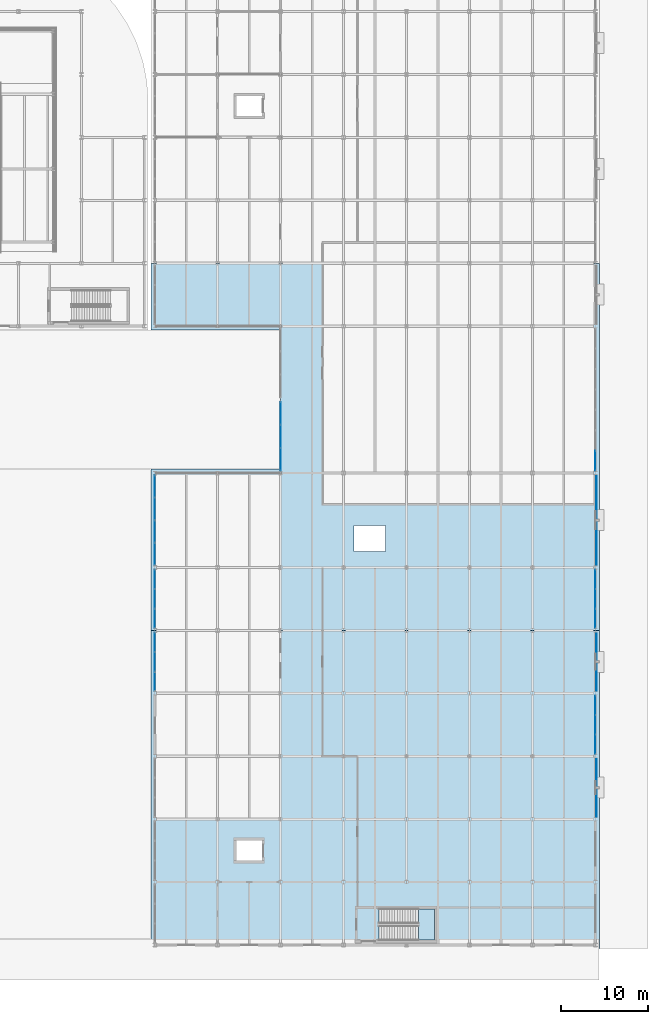
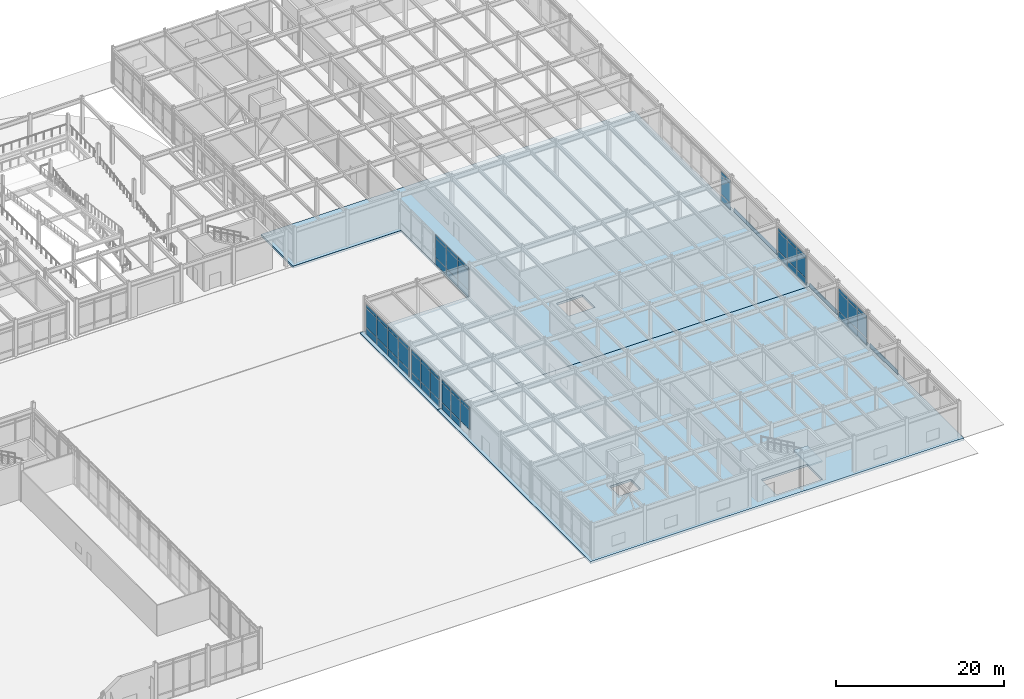
# One storey, part 64 of 104: 62 plates, 3 slabs, 8 elements without a shape of their own.
"""IFC4 building model written with IfcOpenShell, lengths in metres."""

from ifc_helpers import new_model, si_unit, direction, frame, origin, origin_2d, place, context, subcontext, project, spatial, polyline, rectangle, outline, extrude, material, layer, layer_set, type_object, element, aggregate, save


model = new_model("IFC4")

# Units and contexts
model_context = context("Model", 3, precision=1e-05, world=origin(), true_north=direction((0.0, 1.0)))
body_context = subcontext(model_context, "Body", "Model", "MODEL_VIEW")
ifc_project = project(units=[si_unit("LENGTHUNIT", "METRE"), si_unit("AREAUNIT", "SQUARE_METRE"), si_unit("VOLUMEUNIT", "CUBIC_METRE"), si_unit("PLANEANGLEUNIT", "RADIAN"), si_unit("MASSUNIT", "GRAM", prefix="KILO")], contexts=[model_context])

# Site, building, storey
site_placement = place(None, origin())
site = spatial("IfcSite", under=ifc_project, at=site_placement, CompositionType="ELEMENT")
building_placement = place(site_placement, origin())
building = spatial("IfcBuilding", under=site, at=building_placement, Name="Vaelcorin Mobility Hub", CompositionType="ELEMENT")
storey_placement = place(building_placement, origin())
storey = spatial("IfcBuildingStorey", under=building, at=storey_placement, Name="L00", CompositionType="ELEMENT", Elevation=0.0)

# Curtain wall, plates
ifc_material_1 = material(Name="Anodised aluminium 6063-T6", Category="aluminium")
curtain_wall_type = type_object("IfcCurtainWallType", Name="CW-MOB-A", PredefinedType="NOTDEFINED", material=ifc_material_1)
curtain_wall_1_placement = place(storey_placement, origin())
curtain_wall_1 = element("IfcCurtainWall", 1, at=curtain_wall_1_placement, inside=storey, type_object=curtain_wall_type, Name="L00 Curtain Wall CW-V5-L00-E-04", PredefinedType="NOTDEFINED")
ifc_material_2 = material(Name="Low-E solar-control insulated glazing", Category="glass")
ifc_layer_1 = layer(ifc_material_2, 0.031982421875)
ifc_layer_set_1 = layer_set([ifc_layer_1], Name="Low-E solar-control insulated glazing")
plate_type_1 = type_object("IfcPlateType", Name="CW-PAN-GLZ32", PredefinedType="CURTAIN_PANEL", material=ifc_layer_set_1)
plate_1_placement = place(storey_placement, frame((204.0, 33.438232421875, 0.06005859375), z_axis=(0.0, 0.0, 1.0), x_axis=(0.0, -1.0, 0.0)))
plate_1 = element("IfcPlate", 2, at=plate_1_placement, type_object=plate_type_1, Name="CW7 panel 1.1", PredefinedType="CURTAIN_PANEL", context=body_context, shape_type="SweptSolid", body=[
    extrude(rectangle(XDim=2.163330078125, YDim=0.028076171875, at=origin_2d()), origin(), (0.0, 0.0, 1.0), 0.9599609375),
])
plate_2_placement = place(storey_placement, frame((204.0, 33.438232421875, 1.080078125), z_axis=(0.0, 0.0, 1.0), x_axis=(0.0, -1.0, 0.0)))
plate_2 = element("IfcPlate", 3, at=plate_2_placement, type_object=plate_type_1, Name="CW7 panel 1.2", PredefinedType="CURTAIN_PANEL", context=body_context, shape_type="SweptSolid", body=[
    extrude(rectangle(XDim=2.163330078125, YDim=0.028076171875, at=origin_2d()), origin(), (0.0, 0.0, 1.0), 2.781982421875),
])
plate_3_placement = place(storey_placement, frame((204.0, 33.438232421875, 3.922119140625), z_axis=(0.0, 0.0, 1.0), x_axis=(0.0, -1.0, 0.0)))
plate_3 = element("IfcPlate", 4, at=plate_3_placement, type_object=plate_type_1, Name="CW7 panel 1.3", PredefinedType="CURTAIN_PANEL", context=body_context, shape_type="SweptSolid", body=[
    extrude(rectangle(XDim=2.163330078125, YDim=0.028076171875, at=origin_2d()), origin(), (0.0, 0.0, 1.0), 0.4599609375),
])
plate_4_placement = place(storey_placement, frame((204.0, 31.199951171875, 0.06005859375), z_axis=(0.0, 0.0, 1.0), x_axis=(0.0, -1.0, 0.0)))
plate_4 = element("IfcPlate", 5, at=plate_4_placement, type_object=plate_type_1, Name="CW7 panel 2.1", PredefinedType="CURTAIN_PANEL", context=body_context, shape_type="SweptSolid", body=[
    extrude(rectangle(XDim=2.193359375, YDim=0.028076171875, at=origin_2d()), origin(), (0.0, 0.0, 1.0), 0.9599609375),
])
plate_5_placement = place(storey_placement, frame((204.0, 31.199951171875, 1.080078125), z_axis=(0.0, 0.0, 1.0), x_axis=(0.0, -1.0, 0.0)))
plate_5 = element("IfcPlate", 6, at=plate_5_placement, type_object=plate_type_1, Name="CW7 panel 2.2", PredefinedType="CURTAIN_PANEL", context=body_context, shape_type="SweptSolid", body=[
    extrude(rectangle(XDim=2.193359375, YDim=0.028076171875, at=origin_2d()), origin(), (0.0, 0.0, 1.0), 2.781982421875),
])
plate_6_placement = place(storey_placement, frame((204.0, 31.199951171875, 3.922119140625), z_axis=(0.0, 0.0, 1.0), x_axis=(0.0, -1.0, 0.0)))
plate_6 = element("IfcPlate", 7, at=plate_6_placement, type_object=plate_type_1, Name="CW7 panel 2.3", PredefinedType="CURTAIN_PANEL", context=body_context, shape_type="SweptSolid", body=[
    extrude(rectangle(XDim=2.193359375, YDim=0.028076171875, at=origin_2d()), origin(), (0.0, 0.0, 1.0), 0.4599609375),
])
plate_7_placement = place(storey_placement, frame((204.0, 28.961669921875, 0.06005859375), z_axis=(0.0, 0.0, 1.0), x_axis=(0.0, -1.0, 0.0)))
plate_7 = element("IfcPlate", 8, at=plate_7_placement, type_object=plate_type_1, Name="CW7 panel 3.1", PredefinedType="CURTAIN_PANEL", context=body_context, shape_type="SweptSolid", body=[
    extrude(rectangle(XDim=2.163330078125, YDim=0.028076171875, at=origin_2d()), origin(), (0.0, 0.0, 1.0), 0.9599609375),
])
plate_8_placement = place(storey_placement, frame((204.0, 28.961669921875, 1.080078125), z_axis=(0.0, 0.0, 1.0), x_axis=(0.0, -1.0, 0.0)))
plate_8 = element("IfcPlate", 9, at=plate_8_placement, type_object=plate_type_1, Name="CW7 panel 3.2", PredefinedType="CURTAIN_PANEL", context=body_context, shape_type="SweptSolid", body=[
    extrude(rectangle(XDim=2.163330078125, YDim=0.028076171875, at=origin_2d()), origin(), (0.0, 0.0, 1.0), 2.781982421875),
])
plate_9_placement = place(storey_placement, frame((204.0, 28.961669921875, 3.922119140625), z_axis=(0.0, 0.0, 1.0), x_axis=(0.0, -1.0, 0.0)))
plate_9 = element("IfcPlate", 10, at=plate_9_placement, type_object=plate_type_1, Name="CW7 panel 3.3", PredefinedType="CURTAIN_PANEL", context=body_context, shape_type="SweptSolid", body=[
    extrude(rectangle(XDim=2.163330078125, YDim=0.028076171875, at=origin_2d()), origin(), (0.0, 0.0, 1.0), 0.4599609375),
])
aggregate(curtain_wall_1, [plate_1, plate_2, plate_3, plate_4, plate_5, plate_6, plate_7, plate_8, plate_9])

curtain_wall_2_placement = place(storey_placement, origin())
curtain_wall_2 = element("IfcCurtainWall", 11, at=curtain_wall_2_placement, inside=storey, type_object=curtain_wall_type, Name="L00 Curtain Wall CW-V5-L00-E-06", PredefinedType="NOTDEFINED")
plate_10_placement = place(storey_placement, frame((204.0, 47.83837890625, 0.06005859375), z_axis=(0.0, 0.0, 1.0), x_axis=(0.0, -1.0, 0.0)))
plate_10 = element("IfcPlate", 12, at=plate_10_placement, type_object=plate_type_1, Name="CW7 panel 1.1", PredefinedType="CURTAIN_PANEL", context=body_context, shape_type="SweptSolid", body=[
    extrude(rectangle(XDim=2.163330078125, YDim=0.028076171875, at=origin_2d()), origin(), (0.0, 0.0, 1.0), 0.9599609375),
])
plate_11_placement = place(storey_placement, frame((204.0, 47.83837890625, 1.080078125), z_axis=(0.0, 0.0, 1.0), x_axis=(0.0, -1.0, 0.0)))
plate_11 = element("IfcPlate", 13, at=plate_11_placement, type_object=plate_type_1, Name="CW7 panel 1.2", PredefinedType="CURTAIN_PANEL", context=body_context, shape_type="SweptSolid", body=[
    extrude(rectangle(XDim=2.163330078125, YDim=0.028076171875, at=origin_2d()), origin(), (0.0, 0.0, 1.0), 2.781982421875),
])
plate_12_placement = place(storey_placement, frame((204.0, 47.83837890625, 3.922119140625), z_axis=(0.0, 0.0, 1.0), x_axis=(0.0, -1.0, 0.0)))
plate_12 = element("IfcPlate", 14, at=plate_12_placement, type_object=plate_type_1, Name="CW7 panel 1.3", PredefinedType="CURTAIN_PANEL", context=body_context, shape_type="SweptSolid", body=[
    extrude(rectangle(XDim=2.163330078125, YDim=0.028076171875, at=origin_2d()), origin(), (0.0, 0.0, 1.0), 0.4599609375),
])
plate_13_placement = place(storey_placement, frame((204.0, 45.60009765625, 0.06005859375), z_axis=(0.0, 0.0, 1.0), x_axis=(0.0, -1.0, 0.0)))
plate_13 = element("IfcPlate", 15, at=plate_13_placement, type_object=plate_type_1, Name="CW7 panel 2.1", PredefinedType="CURTAIN_PANEL", context=body_context, shape_type="SweptSolid", body=[
    extrude(rectangle(XDim=2.193359375, YDim=0.028076171875, at=origin_2d()), origin(), (0.0, 0.0, 1.0), 0.9599609375),
])
plate_14_placement = place(storey_placement, frame((204.0, 45.60009765625, 1.080078125), z_axis=(0.0, 0.0, 1.0), x_axis=(0.0, -1.0, 0.0)))
plate_14 = element("IfcPlate", 16, at=plate_14_placement, type_object=plate_type_1, Name="CW7 panel 2.2", PredefinedType="CURTAIN_PANEL", context=body_context, shape_type="SweptSolid", body=[
    extrude(rectangle(XDim=2.193359375, YDim=0.028076171875, at=origin_2d()), origin(), (0.0, 0.0, 1.0), 2.781982421875),
])
plate_15_placement = place(storey_placement, frame((204.0, 45.60009765625, 3.922119140625), z_axis=(0.0, 0.0, 1.0), x_axis=(0.0, -1.0, 0.0)))
plate_15 = element("IfcPlate", 17, at=plate_15_placement, type_object=plate_type_1, Name="CW7 panel 2.3", PredefinedType="CURTAIN_PANEL", context=body_context, shape_type="SweptSolid", body=[
    extrude(rectangle(XDim=2.193359375, YDim=0.028076171875, at=origin_2d()), origin(), (0.0, 0.0, 1.0), 0.4599609375),
])
plate_16_placement = place(storey_placement, frame((204.0, 43.361572265625, 0.06005859375), z_axis=(0.0, 0.0, 1.0), x_axis=(0.0, -1.0, 0.0)))
plate_16 = element("IfcPlate", 18, at=plate_16_placement, type_object=plate_type_1, Name="CW7 panel 3.1", PredefinedType="CURTAIN_PANEL", context=body_context, shape_type="SweptSolid", body=[
    extrude(rectangle(XDim=2.163330078125, YDim=0.028076171875, at=origin_2d()), origin(), (0.0, 0.0, 1.0), 0.9599609375),
])
plate_17_placement = place(storey_placement, frame((204.0, 43.361572265625, 1.080078125), z_axis=(0.0, 0.0, 1.0), x_axis=(0.0, -1.0, 0.0)))
plate_17 = element("IfcPlate", 19, at=plate_17_placement, type_object=plate_type_1, Name="CW7 panel 3.2", PredefinedType="CURTAIN_PANEL", context=body_context, shape_type="SweptSolid", body=[
    extrude(rectangle(XDim=2.163330078125, YDim=0.028076171875, at=origin_2d()), origin(), (0.0, 0.0, 1.0), 2.781982421875),
])
plate_18_placement = place(storey_placement, frame((204.0, 43.361572265625, 3.922119140625), z_axis=(0.0, 0.0, 1.0), x_axis=(0.0, -1.0, 0.0)))
plate_18 = element("IfcPlate", 20, at=plate_18_placement, type_object=plate_type_1, Name="CW7 panel 3.3", PredefinedType="CURTAIN_PANEL", context=body_context, shape_type="SweptSolid", body=[
    extrude(rectangle(XDim=2.163330078125, YDim=0.028076171875, at=origin_2d()), origin(), (0.0, 0.0, 1.0), 0.4599609375),
])
aggregate(curtain_wall_2, [plate_10, plate_11, plate_12, plate_13, plate_14, plate_15, plate_16, plate_17, plate_18])

curtain_wall_3_placement = place(storey_placement, origin())
curtain_wall_3 = element("IfcCurtainWall", 21, at=curtain_wall_3_placement, inside=storey, type_object=curtain_wall_type, Name="L00 Curtain Wall CW-V5-L00-E-08", PredefinedType="NOTDEFINED")
plate_19_placement = place(storey_placement, frame((204.0, 61.403564453125, 0.06005859375), z_axis=(0.0, 0.0, 1.0), x_axis=(0.0, -1.0, 0.0)))
plate_19 = element("IfcPlate", 22, at=plate_19_placement, type_object=plate_type_1, Name="CW7 panel 7.1", PredefinedType="CURTAIN_PANEL", context=body_context, shape_type="SweptSolid", body=[
    extrude(rectangle(XDim=2.2470703125, YDim=0.028076171875, at=origin_2d()), origin(), (0.0, 0.0, 1.0), 0.9599609375),
])
plate_20_placement = place(storey_placement, frame((204.0, 61.403564453125, 1.080078125), z_axis=(0.0, 0.0, 1.0), x_axis=(0.0, -1.0, 0.0)))
plate_20 = element("IfcPlate", 23, at=plate_20_placement, type_object=plate_type_1, Name="CW7 panel 7.2", PredefinedType="CURTAIN_PANEL", context=body_context, shape_type="SweptSolid", body=[
    extrude(rectangle(XDim=2.2470703125, YDim=0.028076171875, at=origin_2d()), origin(), (0.0, 0.0, 1.0), 2.781982421875),
])
plate_21_placement = place(storey_placement, frame((204.0, 61.403564453125, 3.922119140625), z_axis=(0.0, 0.0, 1.0), x_axis=(0.0, -1.0, 0.0)))
plate_21 = element("IfcPlate", 24, at=plate_21_placement, type_object=plate_type_1, Name="CW7 panel 7.3", PredefinedType="CURTAIN_PANEL", context=body_context, shape_type="SweptSolid", body=[
    extrude(rectangle(XDim=2.2470703125, YDim=0.028076171875, at=origin_2d()), origin(), (0.0, 0.0, 1.0), 0.4599609375),
])
aggregate(curtain_wall_3, [plate_19, plate_20, plate_21])

curtain_wall_4_placement = place(storey_placement, origin())
curtain_wall_4 = element("IfcCurtainWall", 25, at=curtain_wall_4_placement, inside=storey, type_object=curtain_wall_type, Name="L00 Curtain Wall CW-V5-L00-WS-05", PredefinedType="NOTDEFINED")
plate_22_placement = place(storey_placement, frame((153.60009765625, 36.16162109375, 1.080078125), z_axis=(0.0, 0.0, 1.0), x_axis=(0.0, 1.0, 0.0)))
plate_22 = element("IfcPlate", 26, at=plate_22_placement, type_object=plate_type_1, Name="CW7 panel 1.2", PredefinedType="CURTAIN_PANEL", context=body_context, shape_type="SweptSolid", body=[
    extrude(rectangle(XDim=2.163330078125, YDim=0.028076171875, at=origin_2d()), origin(), (0.0, 0.0, 1.0), 2.781982421875),
])
plate_23_placement = place(storey_placement, frame((153.60009765625, 36.16162109375, 3.922119140625), z_axis=(0.0, 0.0, 1.0), x_axis=(0.0, 1.0, 0.0)))
plate_23 = element("IfcPlate", 27, at=plate_23_placement, type_object=plate_type_1, Name="CW7 panel 1.3", PredefinedType="CURTAIN_PANEL", context=body_context, shape_type="SweptSolid", body=[
    extrude(rectangle(XDim=2.163330078125, YDim=0.028076171875, at=origin_2d()), origin(), (0.0, 0.0, 1.0), 0.4599609375),
])
plate_24_placement = place(storey_placement, frame((153.60009765625, 38.39990234375, 0.06005859375), z_axis=(0.0, 0.0, 1.0), x_axis=(0.0, 1.0, 0.0)))
plate_24 = element("IfcPlate", 28, at=plate_24_placement, type_object=plate_type_1, Name="CW7 panel 2.1", PredefinedType="CURTAIN_PANEL", context=body_context, shape_type="SweptSolid", body=[
    extrude(rectangle(XDim=2.193359375, YDim=0.028076171875, at=origin_2d()), origin(), (0.0, 0.0, 1.0), 0.9599609375),
])
plate_25_placement = place(storey_placement, frame((153.60009765625, 38.39990234375, 1.080078125), z_axis=(0.0, 0.0, 1.0), x_axis=(0.0, 1.0, 0.0)))
plate_25 = element("IfcPlate", 29, at=plate_25_placement, type_object=plate_type_1, Name="CW7 panel 2.2", PredefinedType="CURTAIN_PANEL", context=body_context, shape_type="SweptSolid", body=[
    extrude(rectangle(XDim=2.193359375, YDim=0.028076171875, at=origin_2d()), origin(), (0.0, 0.0, 1.0), 2.781982421875),
])
plate_26_placement = place(storey_placement, frame((153.60009765625, 38.39990234375, 3.922119140625), z_axis=(0.0, 0.0, 1.0), x_axis=(0.0, 1.0, 0.0)))
plate_26 = element("IfcPlate", 30, at=plate_26_placement, type_object=plate_type_1, Name="CW7 panel 2.3", PredefinedType="CURTAIN_PANEL", context=body_context, shape_type="SweptSolid", body=[
    extrude(rectangle(XDim=2.193359375, YDim=0.028076171875, at=origin_2d()), origin(), (0.0, 0.0, 1.0), 0.4599609375),
])
plate_27_placement = place(storey_placement, frame((153.60009765625, 40.638427734375, 0.06005859375), z_axis=(0.0, 0.0, 1.0), x_axis=(0.0, 1.0, 0.0)))
plate_27 = element("IfcPlate", 31, at=plate_27_placement, type_object=plate_type_1, Name="CW7 panel 3.1", PredefinedType="CURTAIN_PANEL", context=body_context, shape_type="SweptSolid", body=[
    extrude(rectangle(XDim=2.163330078125, YDim=0.028076171875, at=origin_2d()), origin(), (0.0, 0.0, 1.0), 0.9599609375),
])
plate_28_placement = place(storey_placement, frame((153.60009765625, 40.638427734375, 1.080078125), z_axis=(0.0, 0.0, 1.0), x_axis=(0.0, 1.0, 0.0)))
plate_28 = element("IfcPlate", 32, at=plate_28_placement, type_object=plate_type_1, Name="CW7 panel 3.2", PredefinedType="CURTAIN_PANEL", context=body_context, shape_type="SweptSolid", body=[
    extrude(rectangle(XDim=2.163330078125, YDim=0.028076171875, at=origin_2d()), origin(), (0.0, 0.0, 1.0), 2.781982421875),
])
plate_29_placement = place(storey_placement, frame((153.60009765625, 40.638427734375, 3.922119140625), z_axis=(0.0, 0.0, 1.0), x_axis=(0.0, 1.0, 0.0)))
plate_29 = element("IfcPlate", 33, at=plate_29_placement, type_object=plate_type_1, Name="CW7 panel 3.3", PredefinedType="CURTAIN_PANEL", context=body_context, shape_type="SweptSolid", body=[
    extrude(rectangle(XDim=2.163330078125, YDim=0.028076171875, at=origin_2d()), origin(), (0.0, 0.0, 1.0), 0.4599609375),
])
aggregate(curtain_wall_4, [plate_22, plate_23, plate_24, plate_25, plate_26, plate_27, plate_28, plate_29])

curtain_wall_5_placement = place(storey_placement, origin())
curtain_wall_5 = element("IfcCurtainWall", 34, at=curtain_wall_5_placement, inside=storey, type_object=curtain_wall_type, Name="L00 Curtain Wall CW-V5-L00-WS-06", PredefinedType="NOTDEFINED")
plate_30_placement = place(storey_placement, frame((153.60009765625, 43.361572265625, 0.06005859375), z_axis=(0.0, 0.0, 1.0), x_axis=(0.0, 1.0, 0.0)))
plate_30 = element("IfcPlate", 35, at=plate_30_placement, type_object=plate_type_1, Name="CW7 panel 1.1", PredefinedType="CURTAIN_PANEL", context=body_context, shape_type="SweptSolid", body=[
    extrude(rectangle(XDim=2.163330078125, YDim=0.028076171875, at=origin_2d()), origin(), (0.0, 0.0, 1.0), 0.9599609375),
])
plate_31_placement = place(storey_placement, frame((153.60009765625, 43.361572265625, 1.080078125), z_axis=(0.0, 0.0, 1.0), x_axis=(0.0, 1.0, 0.0)))
plate_31 = element("IfcPlate", 36, at=plate_31_placement, type_object=plate_type_1, Name="CW7 panel 1.2", PredefinedType="CURTAIN_PANEL", context=body_context, shape_type="SweptSolid", body=[
    extrude(rectangle(XDim=2.163330078125, YDim=0.028076171875, at=origin_2d()), origin(), (0.0, 0.0, 1.0), 2.781982421875),
])
plate_32_placement = place(storey_placement, frame((153.60009765625, 43.361572265625, 3.922119140625), z_axis=(0.0, 0.0, 1.0), x_axis=(0.0, 1.0, 0.0)))
plate_32 = element("IfcPlate", 37, at=plate_32_placement, type_object=plate_type_1, Name="CW7 panel 1.3", PredefinedType="CURTAIN_PANEL", context=body_context, shape_type="SweptSolid", body=[
    extrude(rectangle(XDim=2.163330078125, YDim=0.028076171875, at=origin_2d()), origin(), (0.0, 0.0, 1.0), 0.4599609375),
])
plate_33_placement = place(storey_placement, frame((153.60009765625, 45.60009765625, 0.06005859375), z_axis=(0.0, 0.0, 1.0), x_axis=(0.0, 1.0, 0.0)))
plate_33 = element("IfcPlate", 38, at=plate_33_placement, type_object=plate_type_1, Name="CW7 panel 2.1", PredefinedType="CURTAIN_PANEL", context=body_context, shape_type="SweptSolid", body=[
    extrude(rectangle(XDim=2.193359375, YDim=0.028076171875, at=origin_2d()), origin(), (0.0, 0.0, 1.0), 0.9599609375),
])
plate_34_placement = place(storey_placement, frame((153.60009765625, 45.60009765625, 1.080078125), z_axis=(0.0, 0.0, 1.0), x_axis=(0.0, 1.0, 0.0)))
plate_34 = element("IfcPlate", 39, at=plate_34_placement, type_object=plate_type_1, Name="CW7 panel 2.2", PredefinedType="CURTAIN_PANEL", context=body_context, shape_type="SweptSolid", body=[
    extrude(rectangle(XDim=2.193359375, YDim=0.028076171875, at=origin_2d()), origin(), (0.0, 0.0, 1.0), 2.781982421875),
])
plate_35_placement = place(storey_placement, frame((153.60009765625, 45.60009765625, 3.922119140625), z_axis=(0.0, 0.0, 1.0), x_axis=(0.0, 1.0, 0.0)))
plate_35 = element("IfcPlate", 40, at=plate_35_placement, type_object=plate_type_1, Name="CW7 panel 2.3", PredefinedType="CURTAIN_PANEL", context=body_context, shape_type="SweptSolid", body=[
    extrude(rectangle(XDim=2.193359375, YDim=0.028076171875, at=origin_2d()), origin(), (0.0, 0.0, 1.0), 0.4599609375),
])
plate_36_placement = place(storey_placement, frame((153.60009765625, 47.83837890625, 0.06005859375), z_axis=(0.0, 0.0, 1.0), x_axis=(0.0, 1.0, 0.0)))
plate_36 = element("IfcPlate", 41, at=plate_36_placement, type_object=plate_type_1, Name="CW7 panel 3.1", PredefinedType="CURTAIN_PANEL", context=body_context, shape_type="SweptSolid", body=[
    extrude(rectangle(XDim=2.163330078125, YDim=0.028076171875, at=origin_2d()), origin(), (0.0, 0.0, 1.0), 0.9599609375),
])
plate_37_placement = place(storey_placement, frame((153.60009765625, 47.83837890625, 1.080078125), z_axis=(0.0, 0.0, 1.0), x_axis=(0.0, 1.0, 0.0)))
plate_37 = element("IfcPlate", 42, at=plate_37_placement, type_object=plate_type_1, Name="CW7 panel 3.2", PredefinedType="CURTAIN_PANEL", context=body_context, shape_type="SweptSolid", body=[
    extrude(rectangle(XDim=2.163330078125, YDim=0.028076171875, at=origin_2d()), origin(), (0.0, 0.0, 1.0), 2.781982421875),
])
plate_38_placement = place(storey_placement, frame((153.60009765625, 47.83837890625, 3.922119140625), z_axis=(0.0, 0.0, 1.0), x_axis=(0.0, 1.0, 0.0)))
plate_38 = element("IfcPlate", 43, at=plate_38_placement, type_object=plate_type_1, Name="CW7 panel 3.3", PredefinedType="CURTAIN_PANEL", context=body_context, shape_type="SweptSolid", body=[
    extrude(rectangle(XDim=2.163330078125, YDim=0.028076171875, at=origin_2d()), origin(), (0.0, 0.0, 1.0), 0.4599609375),
])
aggregate(curtain_wall_5, [plate_30, plate_31, plate_32, plate_33, plate_34, plate_35, plate_36, plate_37, plate_38])

curtain_wall_6_placement = place(storey_placement, origin())
curtain_wall_6 = element("IfcCurtainWall", 44, at=curtain_wall_6_placement, inside=storey, type_object=curtain_wall_type, Name="L00 Curtain Wall CW-V5-L00-WS-07", PredefinedType="NOTDEFINED")
plate_39_placement = place(storey_placement, frame((153.60009765625, 50.72998046875, 0.06005859375), z_axis=(0.0, 0.0, 1.0), x_axis=(0.0, 1.0, 0.0)))
plate_39 = element("IfcPlate", 45, at=plate_39_placement, type_object=plate_type_1, Name="CW7 panel 1.1", PredefinedType="CURTAIN_PANEL", context=body_context, shape_type="SweptSolid", body=[
    extrude(rectangle(XDim=2.5, YDim=0.028076171875, at=origin_2d()), origin(), (0.0, 0.0, 1.0), 0.9599609375),
])
plate_40_placement = place(storey_placement, frame((153.60009765625, 50.72998046875, 1.080078125), z_axis=(0.0, 0.0, 1.0), x_axis=(0.0, 1.0, 0.0)))
plate_40 = element("IfcPlate", 46, at=plate_40_placement, type_object=plate_type_1, Name="CW7 panel 1.2", PredefinedType="CURTAIN_PANEL", context=body_context, shape_type="SweptSolid", body=[
    extrude(rectangle(XDim=2.5, YDim=0.028076171875, at=origin_2d()), origin(), (0.0, 0.0, 1.0), 2.781982421875),
])
plate_41_placement = place(storey_placement, frame((153.60009765625, 50.72998046875, 3.922119140625), z_axis=(0.0, 0.0, 1.0), x_axis=(0.0, 1.0, 0.0)))
plate_41 = element("IfcPlate", 47, at=plate_41_placement, type_object=plate_type_1, Name="CW7 panel 1.3", PredefinedType="CURTAIN_PANEL", context=body_context, shape_type="SweptSolid", body=[
    extrude(rectangle(XDim=2.5, YDim=0.028076171875, at=origin_2d()), origin(), (0.0, 0.0, 1.0), 0.4599609375),
])
plate_42_placement = place(storey_placement, frame((153.60009765625, 53.304931640625, 0.06005859375), z_axis=(0.0, 0.0, 1.0), x_axis=(0.0, 1.0, 0.0)))
plate_42 = element("IfcPlate", 48, at=plate_42_placement, type_object=plate_type_1, Name="CW7 panel 2.1", PredefinedType="CURTAIN_PANEL", context=body_context, shape_type="SweptSolid", body=[
    extrude(rectangle(XDim=2.530029296875, YDim=0.028076171875, at=origin_2d()), origin(), (0.0, 0.0, 1.0), 0.9599609375),
])
plate_43_placement = place(storey_placement, frame((153.60009765625, 53.304931640625, 1.080078125), z_axis=(0.0, 0.0, 1.0), x_axis=(0.0, 1.0, 0.0)))
plate_43 = element("IfcPlate", 49, at=plate_43_placement, type_object=plate_type_1, Name="CW7 panel 2.2", PredefinedType="CURTAIN_PANEL", context=body_context, shape_type="SweptSolid", body=[
    extrude(rectangle(XDim=2.530029296875, YDim=0.028076171875, at=origin_2d()), origin(), (0.0, 0.0, 1.0), 2.781982421875),
])
plate_44_placement = place(storey_placement, frame((153.60009765625, 53.304931640625, 3.922119140625), z_axis=(0.0, 0.0, 1.0), x_axis=(0.0, 1.0, 0.0)))
plate_44 = element("IfcPlate", 50, at=plate_44_placement, type_object=plate_type_1, Name="CW7 panel 2.3", PredefinedType="CURTAIN_PANEL", context=body_context, shape_type="SweptSolid", body=[
    extrude(rectangle(XDim=2.530029296875, YDim=0.028076171875, at=origin_2d()), origin(), (0.0, 0.0, 1.0), 0.4599609375),
])
plate_45_placement = place(storey_placement, frame((153.60009765625, 55.89501953125, 0.06005859375), z_axis=(0.0, 0.0, 1.0), x_axis=(0.0, 1.0, 0.0)))
plate_45 = element("IfcPlate", 51, at=plate_45_placement, type_object=plate_type_1, Name="CW7 panel 3.1", PredefinedType="CURTAIN_PANEL", context=body_context, shape_type="SweptSolid", body=[
    extrude(rectangle(XDim=2.530029296875, YDim=0.028076171875, at=origin_2d()), origin(), (0.0, 0.0, 1.0), 0.9599609375),
])
plate_46_placement = place(storey_placement, frame((153.60009765625, 55.89501953125, 1.080078125), z_axis=(0.0, 0.0, 1.0), x_axis=(0.0, 1.0, 0.0)))
plate_46 = element("IfcPlate", 52, at=plate_46_placement, type_object=plate_type_1, Name="CW7 panel 3.2", PredefinedType="CURTAIN_PANEL", context=body_context, shape_type="SweptSolid", body=[
    extrude(rectangle(XDim=2.530029296875, YDim=0.028076171875, at=origin_2d()), origin(), (0.0, 0.0, 1.0), 2.781982421875),
])
plate_47_placement = place(storey_placement, frame((153.60009765625, 55.89501953125, 3.922119140625), z_axis=(0.0, 0.0, 1.0), x_axis=(0.0, 1.0, 0.0)))
plate_47 = element("IfcPlate", 53, at=plate_47_placement, type_object=plate_type_1, Name="CW7 panel 3.3", PredefinedType="CURTAIN_PANEL", context=body_context, shape_type="SweptSolid", body=[
    extrude(rectangle(XDim=2.530029296875, YDim=0.028076171875, at=origin_2d()), origin(), (0.0, 0.0, 1.0), 0.4599609375),
])
plate_48_placement = place(storey_placement, frame((153.60009765625, 58.469970703125, 0.06005859375), z_axis=(0.0, 0.0, 1.0), x_axis=(0.0, 1.0, 0.0)))
plate_48 = element("IfcPlate", 54, at=plate_48_placement, type_object=plate_type_1, Name="CW7 panel 4.1", PredefinedType="CURTAIN_PANEL", context=body_context, shape_type="SweptSolid", body=[
    extrude(rectangle(XDim=2.5, YDim=0.028076171875, at=origin_2d()), origin(), (0.0, 0.0, 1.0), 0.9599609375),
])
plate_49_placement = place(storey_placement, frame((153.60009765625, 58.469970703125, 1.080078125), z_axis=(0.0, 0.0, 1.0), x_axis=(0.0, 1.0, 0.0)))
plate_49 = element("IfcPlate", 55, at=plate_49_placement, type_object=plate_type_1, Name="CW7 panel 4.2", PredefinedType="CURTAIN_PANEL", context=body_context, shape_type="SweptSolid", body=[
    extrude(rectangle(XDim=2.5, YDim=0.028076171875, at=origin_2d()), origin(), (0.0, 0.0, 1.0), 2.781982421875),
])
plate_50_placement = place(storey_placement, frame((153.60009765625, 58.469970703125, 3.922119140625), z_axis=(0.0, 0.0, 1.0), x_axis=(0.0, 1.0, 0.0)))
plate_50 = element("IfcPlate", 56, at=plate_50_placement, type_object=plate_type_1, Name="CW7 panel 4.3", PredefinedType="CURTAIN_PANEL", context=body_context, shape_type="SweptSolid", body=[
    extrude(rectangle(XDim=2.5, YDim=0.028076171875, at=origin_2d()), origin(), (0.0, 0.0, 1.0), 0.4599609375),
])
aggregate(curtain_wall_6, [plate_39, plate_40, plate_41, plate_42, plate_43, plate_44, plate_45, plate_46, plate_47, plate_48, plate_49, plate_50])

curtain_wall_7_placement = place(storey_placement, origin())
curtain_wall_7 = element("IfcCurtainWall", 57, at=curtain_wall_7_placement, inside=storey, type_object=curtain_wall_type, Name="L00 Curtain Wall CW-V5-L00-NOTCH-1", PredefinedType="NOTDEFINED")
plate_51_placement = place(storey_placement, frame((168.0, 61.561767578125, 0.06005859375), z_axis=(0.0, 0.0, 1.0), x_axis=(0.0, 1.0, 0.0)))
plate_51 = element("IfcPlate", 58, at=plate_51_placement, type_object=plate_type_1, Name="CW7 panel 1.1", PredefinedType="CURTAIN_PANEL", context=body_context, shape_type="SweptSolid", body=[
    extrude(rectangle(XDim=2.563232421875, YDim=0.028076171875, at=origin_2d()), origin(), (0.0, 0.0, 1.0), 0.9599609375),
])
plate_52_placement = place(storey_placement, frame((168.0, 61.561767578125, 1.080078125), z_axis=(0.0, 0.0, 1.0), x_axis=(0.0, 1.0, 0.0)))
plate_52 = element("IfcPlate", 59, at=plate_52_placement, type_object=plate_type_1, Name="CW7 panel 1.2", PredefinedType="CURTAIN_PANEL", context=body_context, shape_type="SweptSolid", body=[
    extrude(rectangle(XDim=2.563232421875, YDim=0.028076171875, at=origin_2d()), origin(), (0.0, 0.0, 1.0), 2.781982421875),
])
plate_53_placement = place(storey_placement, frame((168.0, 61.561767578125, 3.922119140625), z_axis=(0.0, 0.0, 1.0), x_axis=(0.0, 1.0, 0.0)))
plate_53 = element("IfcPlate", 60, at=plate_53_placement, type_object=plate_type_1, Name="CW7 panel 1.3", PredefinedType="CURTAIN_PANEL", context=body_context, shape_type="SweptSolid", body=[
    extrude(rectangle(XDim=2.563232421875, YDim=0.028076171875, at=origin_2d()), origin(), (0.0, 0.0, 1.0), 0.4599609375),
])
plate_54_placement = place(storey_placement, frame((168.0, 64.199951171875, 0.06005859375), z_axis=(0.0, 0.0, 1.0), x_axis=(0.0, 1.0, 0.0)))
plate_54 = element("IfcPlate", 61, at=plate_54_placement, type_object=plate_type_1, Name="CW7 panel 2.1", PredefinedType="CURTAIN_PANEL", context=body_context, shape_type="SweptSolid", body=[
    extrude(rectangle(XDim=2.59326171875, YDim=0.028076171875, at=origin_2d()), origin(), (0.0, 0.0, 1.0), 0.9599609375),
])
plate_55_placement = place(storey_placement, frame((168.0, 64.199951171875, 1.080078125), z_axis=(0.0, 0.0, 1.0), x_axis=(0.0, 1.0, 0.0)))
plate_55 = element("IfcPlate", 62, at=plate_55_placement, type_object=plate_type_1, Name="CW7 panel 2.2", PredefinedType="CURTAIN_PANEL", context=body_context, shape_type="SweptSolid", body=[
    extrude(rectangle(XDim=2.59326171875, YDim=0.028076171875, at=origin_2d()), origin(), (0.0, 0.0, 1.0), 2.781982421875),
])
plate_56_placement = place(storey_placement, frame((168.0, 64.199951171875, 3.922119140625), z_axis=(0.0, 0.0, 1.0), x_axis=(0.0, 1.0, 0.0)))
plate_56 = element("IfcPlate", 63, at=plate_56_placement, type_object=plate_type_1, Name="CW7 panel 2.3", PredefinedType="CURTAIN_PANEL", context=body_context, shape_type="SweptSolid", body=[
    extrude(rectangle(XDim=2.59326171875, YDim=0.028076171875, at=origin_2d()), origin(), (0.0, 0.0, 1.0), 0.4599609375),
])
plate_57_placement = place(storey_placement, frame((168.0, 66.83837890625, 0.06005859375), z_axis=(0.0, 0.0, 1.0), x_axis=(0.0, 1.0, 0.0)))
plate_57 = element("IfcPlate", 64, at=plate_57_placement, type_object=plate_type_1, Name="CW7 panel 3.1", PredefinedType="CURTAIN_PANEL", context=body_context, shape_type="SweptSolid", body=[
    extrude(rectangle(XDim=2.563232421875, YDim=0.028076171875, at=origin_2d()), origin(), (0.0, 0.0, 1.0), 0.9599609375),
])
plate_58_placement = place(storey_placement, frame((168.0, 66.83837890625, 1.080078125), z_axis=(0.0, 0.0, 1.0), x_axis=(0.0, 1.0, 0.0)))
plate_58 = element("IfcPlate", 65, at=plate_58_placement, type_object=plate_type_1, Name="CW7 panel 3.2", PredefinedType="CURTAIN_PANEL", context=body_context, shape_type="SweptSolid", body=[
    extrude(rectangle(XDim=2.563232421875, YDim=0.028076171875, at=origin_2d()), origin(), (0.0, 0.0, 1.0), 2.781982421875),
])
plate_59_placement = place(storey_placement, frame((168.0, 66.83837890625, 3.922119140625), z_axis=(0.0, 0.0, 1.0), x_axis=(0.0, 1.0, 0.0)))
plate_59 = element("IfcPlate", 66, at=plate_59_placement, type_object=plate_type_1, Name="CW7 panel 3.3", PredefinedType="CURTAIN_PANEL", context=body_context, shape_type="SweptSolid", body=[
    extrude(rectangle(XDim=2.563232421875, YDim=0.028076171875, at=origin_2d()), origin(), (0.0, 0.0, 1.0), 0.4599609375),
])
aggregate(curtain_wall_7, [plate_51, plate_52, plate_53, plate_54, plate_55, plate_56, plate_57, plate_58, plate_59])

# Plates
ifc_material_3 = material(Name="Extruded terracotta-bronze rainscreen panel", Category="masonry")
ifc_layer_2 = layer(ifc_material_3, 0.01806640625)
ifc_layer_set_2 = layer_set([ifc_layer_2], Name="Extruded terracotta-bronze rainscreen panel")
plate_type_2 = type_object("IfcPlateType", Name="PL-CLAD-18", PredefinedType="SHEET", material=ifc_layer_set_2)
plate_60_placement = place(storey_placement, frame((204.138916015625, 38.39990234375, 0.0498046875), z_axis=(0.0, 0.0, 1.0), x_axis=(1.0, 0.0, 0.0)))
element("IfcPlate", 67, at=plate_60_placement, inside=storey, type_object=plate_type_2, Name="Terracotta-Bronze Rainscreen Spandrel L00-05", PredefinedType="SHEET", context=body_context, shape_type="SweptSolid", body=[
    extrude(rectangle(XDim=0.01806640625, YDim=6.60009765625, at=origin_2d()), origin(), (0.0, 0.0, 1.0), 0.699951171875),
])
ifc_layer_3 = layer(ifc_material_3, 0.02197265625)
ifc_layer_set_3 = layer_set([ifc_layer_3], Name="Extruded terracotta-bronze rainscreen panel")
plate_type_3 = type_object("IfcPlateType", Name="PL-CLAD-22", PredefinedType="SHEET", material=ifc_layer_set_3)
plate_61_placement = place(storey_placement, frame((204.14111328125, 24.0, 0.0498046875), z_axis=(0.0, 0.0, 1.0), x_axis=(1.0, 0.0, 0.0)))
element("IfcPlate", 68, at=plate_61_placement, inside=storey, type_object=plate_type_3, Name="Terracotta-Bronze Rainscreen Spandrel L00-03", PredefinedType="SHEET", context=body_context, shape_type="SweptSolid", body=[
    extrude(rectangle(XDim=0.02197265625, YDim=6.60009765625, at=origin_2d()), origin(), (0.0, 0.0, 1.0), 0.699951171875),
])
plate_62_placement = place(storey_placement, frame((204.14111328125, 54.60009765625, 0.0498046875), z_axis=(0.0, 0.0, 1.0), x_axis=(1.0, 0.0, 0.0)))
element("IfcPlate", 69, at=plate_62_placement, inside=storey, type_object=plate_type_3, Name="Terracotta-Bronze Rainscreen Spandrel L00-07", PredefinedType="SHEET", context=body_context, shape_type="SweptSolid", body=[
    extrude(rectangle(XDim=0.02197265625, YDim=10.199951171875, at=origin_2d()), origin(), (0.0, 0.0, 1.0), 0.699951171875),
])

# Stair, slab
ifc_material_4 = material(Name="Reinforced concrete f'c 45 MPa", Category="concrete")
stair_type = type_object("IfcStairType", Name="STAIR-ST5", PredefinedType="HALF_TURN_STAIR", material=ifc_material_4)
stair_placement = place(storey_placement, origin())
stair = element("IfcStair", 70, at=stair_placement, inside=storey, type_object=stair_type, Name="L00 Protected Exit Stair ST5", PredefinedType="HALF_TURN_STAIR")
ifc_layer_4 = layer(ifc_material_4, 0.199951171875)
ifc_layer_set_4 = layer_set([ifc_layer_4], Name="Reinforced concrete f'c 45 MPa")
slab_type_1 = type_object("IfcSlabType", Name="SLAB-LND-200", PredefinedType="LANDING", material=ifc_layer_set_4)
slab_1_placement = place(storey_placement, frame((0.0, 0.0, 2.5)))
slab_1 = element("IfcSlab", 71, at=slab_1_placement, type_object=slab_type_1, Name="ST5 landing 1", PredefinedType="LANDING", context=body_context, shape_type="SweptSolid", body=[
    extrude(outline(polyline([(183.75, 6.550048828125), (185.60009765625, 6.550048828125), (185.60009765625, 10.14990234375), (183.75, 10.14990234375), (183.75, 6.550048828125)])), origin(), (0.0, 0.0, 1.0), 0.199951171875),
])
aggregate(stair, [slab_1])

# Slabs
ifc_material_5 = material(Name="Concrete f'c 35 MPa", Category="concrete")
ifc_layer_5 = layer(ifc_material_5, 0.320068359375)
ifc_layer_set_5 = layer_set([ifc_layer_5], Name="Concrete f'c 35 MPa")
slab_type_2 = type_object("IfcSlabType", Name="SLAB-WK1", PredefinedType="FLOOR", material=ifc_layer_set_5)
slab_2_placement = place(storey_placement, frame((0.0, 0.0, -0.320068359375)))
element("IfcSlab", 72, at=slab_2_placement, inside=storey, type_object=slab_type_2, Name="L00 Mobility Workshop Floor SL-V5-L00-S", PredefinedType="FLOOR", context=body_context, shape_type="SweptSolid", body=[
    extrude(outline(polyline([(153.14990234375, 5.550048828125), (153.14990234375, 42.0), (204.449951171875, 42.0), (204.449951171875, 5.550048828125), (153.14990234375, 5.550048828125)]), holes=[polyline([(185.60009765625, 10.14990234375), (179.2548828125, 10.14990234375), (179.2548828125, 6.550048828125), (185.60009765625, 6.550048828125), (185.60009765625, 10.14990234375)]), polyline([(165.85009765625, 17.949951171875), (162.949951171875, 17.949951171875), (162.949951171875, 15.64990234375), (165.85009765625, 15.64990234375), (165.85009765625, 17.949951171875)])]), origin(), (0.0, 0.0, 1.0), 0.320068359375),
])
slab_3_placement = place(storey_placement, frame((0.0, 0.0, -0.320068359375)))
element("IfcSlab", 73, at=slab_3_placement, inside=storey, type_object=slab_type_2, Name="L00 Mobility Workshop Floor SL-V5-L00-M", PredefinedType="FLOOR", context=body_context, shape_type="SweptSolid", body=[
    extrude(outline(polyline([(153.14990234375, 42.0), (153.14990234375, 60.449951171875), (168.0, 60.449951171875), (168.0, 76.35009765625), (153.14990234375, 76.35009765625), (153.14990234375, 84.0), (204.449951171875, 84.0), (204.449951171875, 42.0), (153.14990234375, 42.0)]), holes=[polyline([(180.0, 54.0), (176.39990234375, 54.0), (176.39990234375, 51.0), (180.0, 51.0), (180.0, 54.0)])]), origin(), (0.0, 0.0, 1.0), 0.320068359375),
])

save(model, "model.ifc")
